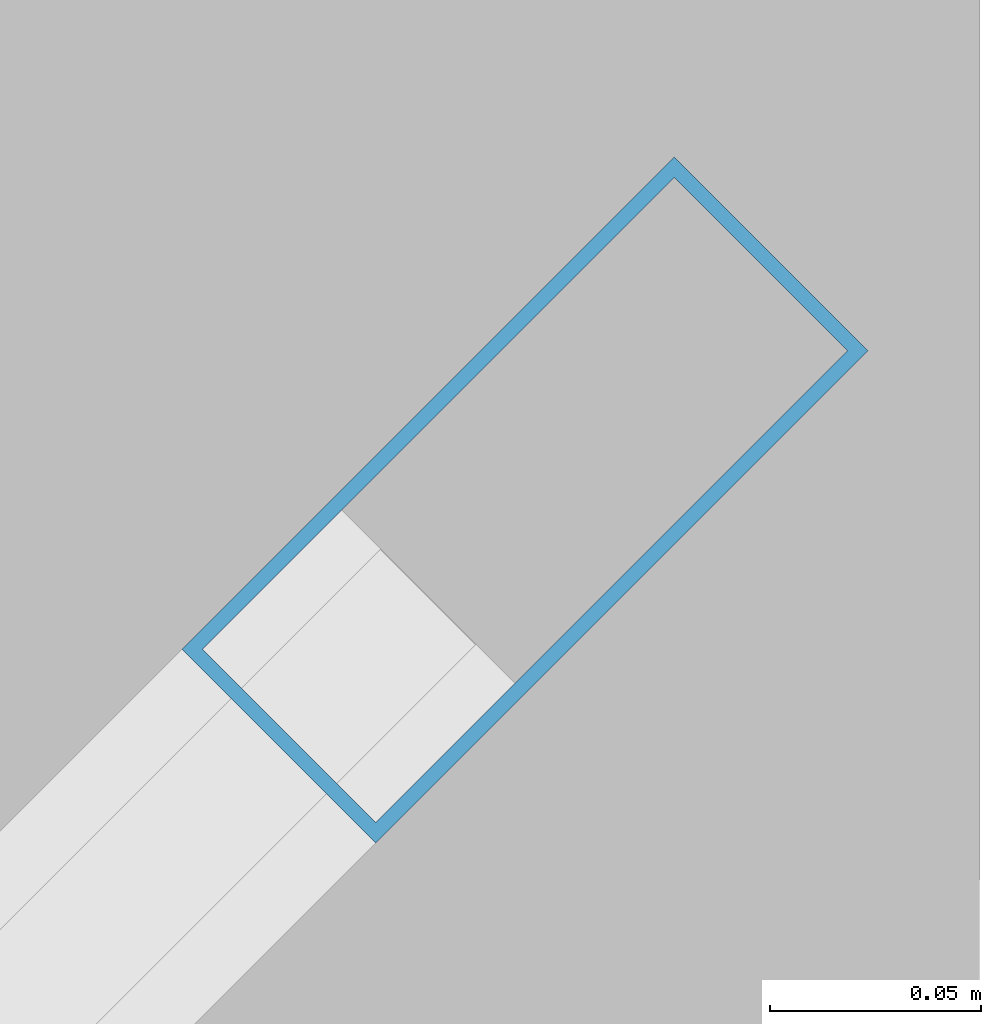
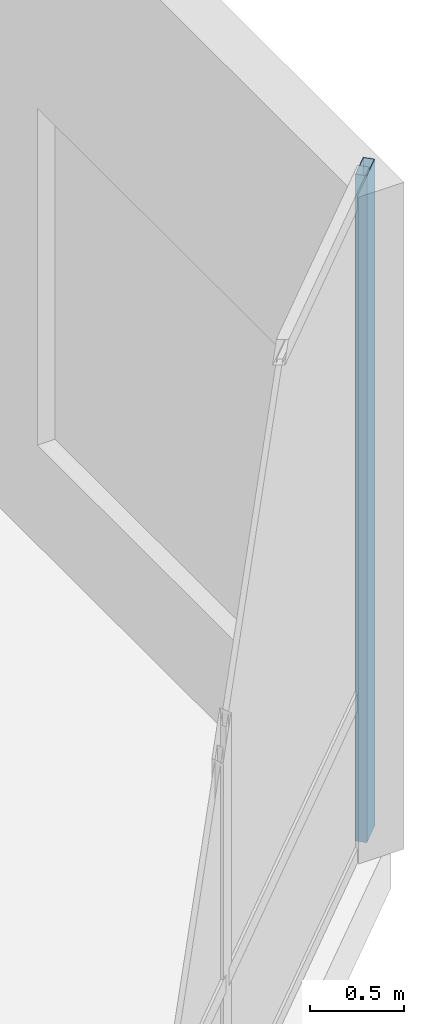
# One storey, part 11 of 20: 1 member, 1 element without a shape of its own.
"""IFC4 building model written with IfcOpenShell, lengths in metres."""

from ifc_helpers import new_model, si_unit, direction, frame, origin, origin_2d, place, context, subcontext, project, spatial, hollow_rectangle, extrude, material, layer, layer_set, material_profile, profile_set, type_object, element, aggregate, save


model = new_model("IFC4")

# Units and contexts
model_context = context("Model", 3, precision=1e-05, world=origin(), true_north=direction((0.0, 1.0)))
body_context = subcontext(model_context, "Body", "Model", "MODEL_VIEW")
ifc_project = project(units=[si_unit("LENGTHUNIT", "METRE"), si_unit("AREAUNIT", "SQUARE_METRE"), si_unit("VOLUMEUNIT", "CUBIC_METRE"), si_unit("PLANEANGLEUNIT", "RADIAN"), si_unit("MASSUNIT", "GRAM", prefix="KILO")], contexts=[model_context])

# Site, building, storey
site_placement = place(None, origin())
site = spatial("IfcSite", under=ifc_project, at=site_placement, CompositionType="ELEMENT")
building_placement = place(site_placement, origin())
building = spatial("IfcBuilding", under=site, at=building_placement, Name="Kestravale Grand Hotel", CompositionType="ELEMENT")
storey_placement = place(building_placement, frame((0.0, 0.0, 231.89990234375)))
storey = spatial("IfcBuildingStorey", under=building, at=storey_placement, Name="L58", CompositionType="ELEMENT", Elevation=231.89990234375)

# Curtain wall, member
ifc_material_1 = material(Name="Thermally broken champagne-bronze aluminium and low-E glazing", Category="aluminium")
ifc_layer = layer(ifc_material_1, 0.179931640625)
ifc_layer_set = layer_set([ifc_layer], Name="CW-Z3")
curtain_wall_type = type_object("IfcCurtainWallType", Name="CW-Z3", PredefinedType="NOTDEFINED", material=ifc_layer_set)
curtain_wall_placement = place(storey_placement, origin())
curtain_wall = element("IfcCurtainWall", 1, at=curtain_wall_placement, inside=storey, type_object=curtain_wall_type, Name="L58 unitised curtain wall 8", PredefinedType="NOTDEFINED")
ifc_material_2 = material(Name="Aluminium 6063-T6 anodised", Category="aluminium")
ifc_material_profile = material_profile(ifc_material_2, hollow_rectangle(XDim=0.06494140625, YDim=0.1650390625, WallThickness=0.00341796875, at=origin_2d()))
ifc_profile_set = profile_set([ifc_material_profile], Name="Aluminium 6063-T6 anodised")
member_type = type_object("IfcMemberType", Name="CW-MUL-165", PredefinedType="MULLION", material=ifc_profile_set)
member_placement = place(storey_placement, frame((71.4921875, 14.190185546875, 0.0), z_axis=(0.0, 0.0, 1.0), x_axis=(-0.707106781187, 0.707106781187, 0.0)))
member = element("IfcMember", 2, at=member_placement, type_object=member_type, Name="CW-Z3 mullion 3", PredefinedType="MULLION", context=body_context, shape_type="SweptSolid", body=[
    extrude(hollow_rectangle(XDim=0.06494140625, YDim=0.1650390625, WallThickness=0.00341796875, at=origin_2d()), origin(), (0.0, 0.0, 1.0), 4.35009765625),
])
aggregate(curtain_wall, [member])

save(model, "model.ifc")
